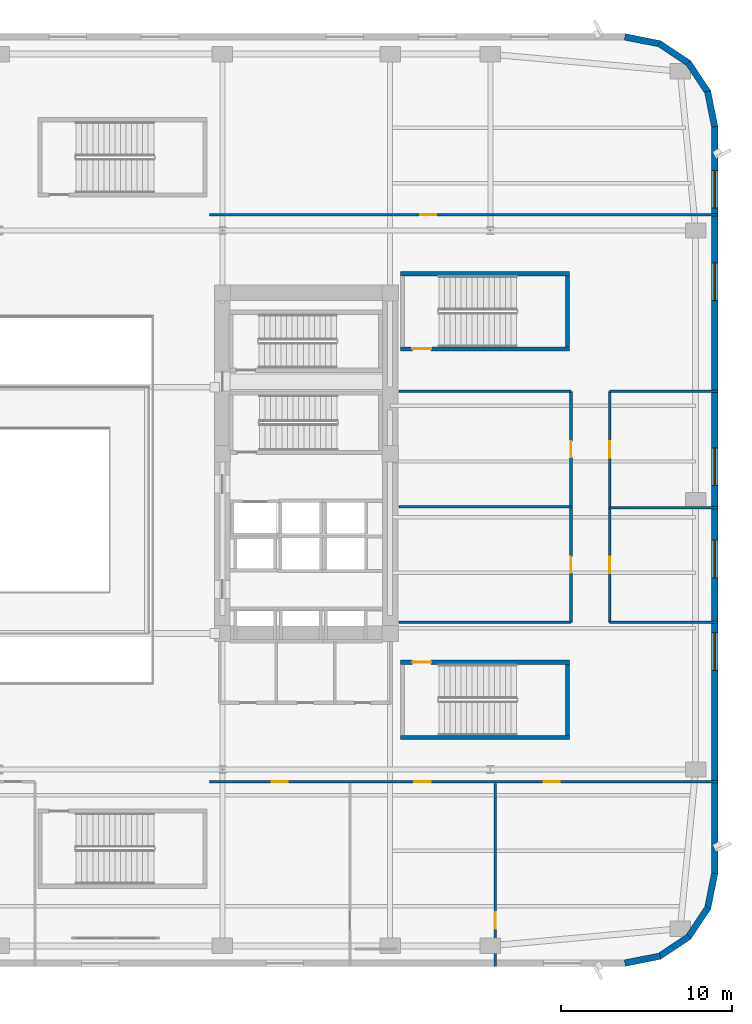
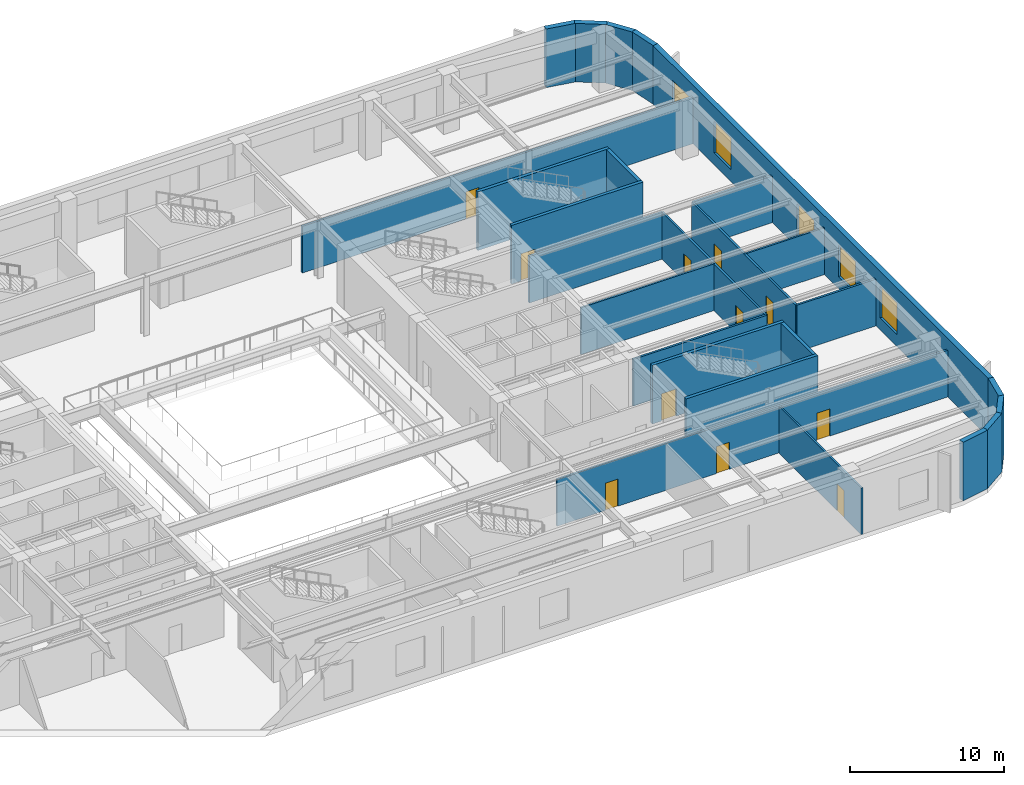
# One storey, part 10 of 22: 26 walls, 11 doors, 5 windows, 16 openings.
"""IFC4 building model written with IfcOpenShell, lengths in metres."""

from ifc_helpers import new_model, si_unit, direction, frame, frame_2d, origin, place, context, subcontext, project, spatial, rectangle, extrude, material, layer, layer_set, type_object, element, fill, save


model = new_model("IFC4")

# Units and contexts
model_context = context("Model", 3, precision=1e-05, world=origin(), true_north=direction((0.0, 1.0)))
body_context = subcontext(model_context, "Body", "Model", "MODEL_VIEW")
ifc_project = project(units=[si_unit("LENGTHUNIT", "METRE"), si_unit("AREAUNIT", "SQUARE_METRE"), si_unit("VOLUMEUNIT", "CUBIC_METRE"), si_unit("PLANEANGLEUNIT", "RADIAN"), si_unit("MASSUNIT", "GRAM", prefix="KILO")], contexts=[model_context])

# Site, building, storey
site_placement = place(None, origin())
site = spatial("IfcSite", under=ifc_project, at=site_placement, CompositionType="ELEMENT")
building_placement = place(site_placement, origin())
building = spatial("IfcBuilding", under=site, at=building_placement, Name="Kolvaren Arena Tower", CompositionType="ELEMENT")
storey_placement = place(building_placement, frame((0.0, 0.0, 13.0)))
storey = spatial("IfcBuildingStorey", under=building, at=storey_placement, Name="L02", CompositionType="ELEMENT", Elevation=13.0)

# Wall, openings, doors
ifc_material_1 = material(Name="Gypsum board acoustic assembly", Category="gypsum")
ifc_layer_1 = layer(ifc_material_1, 0.159912109375)
ifc_layer_set_1 = layer_set([ifc_layer_1], Name="Gypsum board acoustic assembly")
wall_type_1 = type_object("IfcWallType", Name="CORR-160", PredefinedType="PARTITIONING", material=ifc_layer_set_1)
wall_1_placement = place(storey_placement, frame((70.919921875, 20.10009765625, 0.0), z_axis=(0.0, 0.0, 1.0), x_axis=(0.0, 1.0, 0.0)))
wall_1 = element("IfcWall", 1, at=wall_1_placement, inside=storey, type_object=wall_type_1, Name="Interior Partition Wall (L02)", PredefinedType="PARTITIONING", context=body_context, shape_type="SweptSolid", body=[
    extrude(rectangle(XDim=13.5, YDim=0.159912109375, at=frame_2d((6.75, 0.0))), origin(), (0.0, 0.0, 1.0), 3.7099609375),
])
opening_1_placement = place(wall_1_placement, frame((2.89501953125, 0.0, 0.0)))
opening_1 = element("IfcOpeningElement", 2, at=opening_1_placement, cuts=wall_1, Name="Opening D05", PredefinedType="OPENING", context=body_context, shape_type="SweptSolid", body=[
    extrude(rectangle(XDim=0.949951171875, YDim=2.14990234375, at=frame_2d((0.47509765625, 1.074951171875))), frame((0.0, 0.08984375, 0.0), z_axis=(0.0, -1.0, 0.0), x_axis=(1.0, 0.0, 0.0)), (0.0, 0.0, 1.0), 0.179931640625),
])
opening_2_placement = place(wall_1_placement, frame((9.64501953125, 0.0, 0.0)))
opening_2 = element("IfcOpeningElement", 3, at=opening_2_placement, cuts=wall_1, Name="Opening D05", PredefinedType="OPENING", context=body_context, shape_type="SweptSolid", body=[
    extrude(rectangle(XDim=0.949951171875, YDim=2.14990234375, at=frame_2d((0.47509765625, 1.074951171875))), frame((0.0, 0.08984375, 0.0), z_axis=(0.0, -1.0, 0.0), x_axis=(1.0, 0.0, 0.0)), (0.0, 0.0, 1.0), 0.179931640625),
])
ifc_material_2 = material(Name="Solid-core oak acoustic office door", Category="wood")
door_type_1 = type_object("IfcDoorType", Name="DOOR-OF-095", OperationType="NOTDEFINED", PredefinedType="DOOR", material=ifc_material_2)
door_1_placement = place(opening_1_placement, origin())
door_1 = element("IfcDoor", 4, at=door_1_placement, inside=storey, type_object=door_type_1, Name="East Event Merchandise Store Door (L02)", OperationType="SINGLE_SWING_LEFT", OverallHeight=2.14990234375, OverallWidth=0.949951171875, PredefinedType="DOOR", context=body_context, shape_type="SweptSolid", body=[
    extrude(rectangle(XDim=0.949951171875, YDim=2.14990234375, at=frame_2d((0.47509765625, 1.074951171875))), frame((0.0, 0.02490234375, 0.0), z_axis=(0.0, -1.0, 0.0), x_axis=(1.0, 0.0, 0.0)), (0.0, 0.0, 1.0), 0.050048828125),
])
fill(opening_1, door_1)
door_2_placement = place(opening_2_placement, origin())
door_2 = element("IfcDoor", 5, at=door_2_placement, inside=storey, type_object=door_type_1, Name="East Concourse Club Bar Door (L02)", OperationType="SINGLE_SWING_RIGHT", OverallHeight=2.14990234375, OverallWidth=0.949951171875, PredefinedType="DOOR", context=body_context, shape_type="SweptSolid", body=[
    extrude(rectangle(XDim=0.949951171875, YDim=2.14990234375, at=frame_2d((0.47509765625, 1.074951171875))), frame((0.0, 0.02490234375, 0.0), z_axis=(0.0, -1.0, 0.0), x_axis=(1.0, 0.0, 0.0)), (0.0, 0.0, 1.0), 0.050048828125),
])
fill(opening_2, door_2)

wall_2_placement = place(storey_placement, frame((73.179931640625, 20.10009765625, 0.0), z_axis=(0.0, 0.0, 1.0), x_axis=(0.0, 1.0, 0.0)))
wall_2 = element("IfcWall", 6, at=wall_2_placement, inside=storey, type_object=wall_type_1, Name="Interior Partition Wall (L02)", PredefinedType="PARTITIONING", context=body_context, shape_type="SweptSolid", body=[
    extrude(rectangle(XDim=13.5, YDim=0.159912109375, at=frame_2d((6.75, 0.0))), origin(), (0.0, 0.0, 1.0), 3.7099609375),
])
opening_3_placement = place(wall_2_placement, frame((2.8701171875, 0.0, 0.0)))
opening_3 = element("IfcOpeningElement", 7, at=opening_3_placement, cuts=wall_2, Name="Opening D05", PredefinedType="OPENING", context=body_context, shape_type="SweptSolid", body=[
    extrude(rectangle(XDim=0.949951171875, YDim=2.14990234375, at=frame_2d((0.47509765625, 1.074951171875))), frame((0.0, 0.08984375, 0.0), z_axis=(0.0, -1.0, 0.0), x_axis=(1.0, 0.0, 0.0)), (0.0, 0.0, 1.0), 0.179931640625),
])
opening_4_placement = place(wall_2_placement, frame((9.6201171875, 0.0, 0.0)))
opening_4 = element("IfcOpeningElement", 8, at=opening_4_placement, cuts=wall_2, Name="Opening D05", PredefinedType="OPENING", context=body_context, shape_type="SweptSolid", body=[
    extrude(rectangle(XDim=0.949951171875, YDim=2.14990234375, at=frame_2d((0.47509765625, 1.074951171875))), frame((0.0, 0.08984375, 0.0), z_axis=(0.0, -1.0, 0.0), x_axis=(1.0, 0.0, 0.0)), (0.0, 0.0, 1.0), 0.179931640625),
])
door_3_placement = place(opening_3_placement, origin())
door_3 = element("IfcDoor", 9, at=door_3_placement, inside=storey, type_object=door_type_1, Name="Press Conference Room Door (L02)", OperationType="SINGLE_SWING_RIGHT", OverallHeight=2.14990234375, OverallWidth=0.949951171875, PredefinedType="DOOR", context=body_context, shape_type="SweptSolid", body=[
    extrude(rectangle(XDim=0.949951171875, YDim=2.14990234375, at=frame_2d((0.47509765625, 1.074951171875))), frame((0.0, 0.02490234375, 0.0), z_axis=(0.0, -1.0, 0.0), x_axis=(1.0, 0.0, 0.0)), (0.0, 0.0, 1.0), 0.050048828125),
])
fill(opening_3, door_3)
door_4_placement = place(opening_4_placement, origin())
door_4 = element("IfcDoor", 10, at=door_4_placement, inside=storey, type_object=door_type_1, Name="Concession Kitchen Door (L02)", OperationType="SINGLE_SWING_RIGHT", OverallHeight=2.14990234375, OverallWidth=0.949951171875, PredefinedType="DOOR", context=body_context, shape_type="SweptSolid", body=[
    extrude(rectangle(XDim=0.949951171875, YDim=2.14990234375, at=frame_2d((0.47509765625, 1.074951171875))), frame((0.0, 0.02490234375, 0.0), z_axis=(0.0, -1.0, 0.0), x_axis=(1.0, 0.0, 0.0)), (0.0, 0.0, 1.0), 0.050048828125),
])
fill(opening_4, door_4)

# Walls
for number, where, z_axis, x_axis, name in (
    (11, (60.8798828125, 20.10009765625, 0.0), (0.0, 0.0, 1.0), (1.0, 0.0, 0.0), "Interior Partition Wall (L02)"),
    (12, (60.8798828125, 33.60009765625, 0.0), (0.0, 0.0, 1.0), (1.0, 0.0, 0.0), "Interior Partition Wall (L02)"),
):
    element("IfcWall", number, at=place(storey_placement, frame(where, z_axis=z_axis, x_axis=x_axis)), inside=storey, type_object=wall_type_1, Name=name, PredefinedType="PARTITIONING", context=body_context, shape_type="SweptSolid", body=[
        extrude(rectangle(XDim=10.0400390625, YDim=0.159912109375, at=frame_2d((5.02001953125, 0.0))), origin(), (0.0, 0.0, 1.0), 3.7099609375),
    ])
for number, where, z_axis, x_axis, name in (
    (13, (73.179931640625, 20.10009765625, 0.0), (0.0, 0.0, 1.0), (1.0, 0.0, 0.0), "Interior Partition Wall (L02)"),
    (14, (73.179931640625, 33.60009765625, 0.0), (0.0, 0.0, 1.0), (1.0, 0.0, 0.0), "Interior Partition Wall (L02)"),
):
    element("IfcWall", number, at=place(storey_placement, frame(where, z_axis=z_axis, x_axis=x_axis)), inside=storey, type_object=wall_type_1, Name=name, PredefinedType="PARTITIONING", context=body_context, shape_type="SweptSolid", body=[
        extrude(rectangle(XDim=6.320068359375, YDim=0.159912109375, at=frame_2d((3.16015625, 0.0))), origin(), (0.0, 0.0, 1.0), 3.7099609375),
    ])

# Wall, openings, doors
wall_3_placement = place(storey_placement, frame((49.800048828125, 10.780029296875, 0.0), z_axis=(0.0, 0.0, 1.0), x_axis=(1.0, 0.0, 0.0)))
wall_3 = element("IfcWall", 15, at=wall_3_placement, inside=storey, type_object=wall_type_1, Name="Interior Partition Wall (L02)", PredefinedType="PARTITIONING", context=body_context, shape_type="SweptSolid", body=[
    extrude(rectangle(XDim=29.699951171875, YDim=0.159912109375, at=frame_2d((14.85009765625, 0.0))), origin(), (0.0, 0.0, 1.0), 3.7099609375),
])
opening_5_placement = place(wall_3_placement, frame((3.6201171875, 0.0, 0.0)))
opening_5 = element("IfcOpeningElement", 16, at=opening_5_placement, cuts=wall_3, Name="Opening D05", PredefinedType="OPENING", context=body_context, shape_type="SweptSolid", body=[
    extrude(rectangle(XDim=0.949951171875, YDim=2.14990234375, at=frame_2d((0.47509765625, 1.074951171875))), frame((0.0, 0.08984375, 0.0), z_axis=(0.0, -1.0, 0.0), x_axis=(1.0, 0.0, 0.0)), (0.0, 0.0, 1.0), 0.179931640625),
])
opening_6_placement = place(wall_3_placement, frame((11.969970703125, 0.0, 0.0)))
opening_6 = element("IfcOpeningElement", 17, at=opening_6_placement, cuts=wall_3, Name="Opening D05", PredefinedType="OPENING", context=body_context, shape_type="SweptSolid", body=[
    extrude(rectangle(XDim=0.949951171875, YDim=2.14990234375, at=frame_2d((0.47509765625, 1.074951171875))), frame((0.0, 0.08984375, 0.0), z_axis=(0.0, -1.0, 0.0), x_axis=(1.0, 0.0, 0.0)), (0.0, 0.0, 1.0), 0.179931640625),
])
opening_7_placement = place(wall_3_placement, frame((19.52001953125, 0.0, 0.0)))
opening_7 = element("IfcOpeningElement", 18, at=opening_7_placement, cuts=wall_3, Name="Opening D05", PredefinedType="OPENING", context=body_context, shape_type="SweptSolid", body=[
    extrude(rectangle(XDim=0.949951171875, YDim=2.14990234375, at=frame_2d((0.47509765625, 1.074951171875))), frame((0.0, 0.08984375, 0.0), z_axis=(0.0, -1.0, 0.0), x_axis=(1.0, 0.0, 0.0)), (0.0, 0.0, 1.0), 0.179931640625),
])
door_5_placement = place(opening_5_placement, origin())
door_5 = element("IfcDoor", 19, at=door_5_placement, inside=storey, type_object=door_type_1, Name="Beverage Commissary Door (L02)", OperationType="SINGLE_SWING_LEFT", OverallHeight=2.14990234375, OverallWidth=0.949951171875, PredefinedType="DOOR", context=body_context, shape_type="SweptSolid", body=[
    extrude(rectangle(XDim=0.949951171875, YDim=2.14990234375, at=frame_2d((0.47509765625, 1.074951171875))), frame((0.0, 0.02490234375, 0.0), z_axis=(0.0, -1.0, 0.0), x_axis=(1.0, 0.0, 0.0)), (0.0, 0.0, 1.0), 0.050048828125),
])
fill(opening_5, door_5)
door_6_placement = place(opening_6_placement, origin())
door_6 = element("IfcDoor", 20, at=door_6_placement, inside=storey, type_object=door_type_1, Name="Event Ticketing Salon Door (L02)", OperationType="SINGLE_SWING_RIGHT", OverallHeight=2.14990234375, OverallWidth=0.949951171875, PredefinedType="DOOR", context=body_context, shape_type="SweptSolid", body=[
    extrude(rectangle(XDim=0.949951171875, YDim=2.14990234375, at=frame_2d((0.47509765625, 1.074951171875))), frame((0.0, 0.02490234375, 0.0), z_axis=(0.0, -1.0, 0.0), x_axis=(1.0, 0.0, 0.0)), (0.0, 0.0, 1.0), 0.050048828125),
])
fill(opening_6, door_6)
door_7_placement = place(opening_7_placement, origin())
door_7 = element("IfcDoor", 21, at=door_7_placement, inside=storey, type_object=door_type_1, Name="Executive Office Door (L02)", OperationType="SINGLE_SWING_LEFT", OverallHeight=2.14990234375, OverallWidth=0.949951171875, PredefinedType="DOOR", context=body_context, shape_type="SweptSolid", body=[
    extrude(rectangle(XDim=0.949951171875, YDim=2.14990234375, at=frame_2d((0.47509765625, 1.074951171875))), frame((0.0, 0.02490234375, 0.0), z_axis=(0.0, -1.0, 0.0), x_axis=(1.0, 0.0, 0.0)), (0.0, 0.0, 1.0), 0.050048828125),
])
fill(opening_7, door_7)

# Wall, opening, door
wall_4_placement = place(storey_placement, frame((49.800048828125, 43.919921875, 0.0), z_axis=(0.0, 0.0, 1.0), x_axis=(1.0, 0.0, 0.0)))
wall_4 = element("IfcWall", 22, at=wall_4_placement, inside=storey, type_object=wall_type_1, Name="Interior Partition Wall (L02)", PredefinedType="PARTITIONING", context=body_context, shape_type="SweptSolid", body=[
    extrude(rectangle(XDim=29.699951171875, YDim=0.159912109375, at=frame_2d((14.85009765625, 0.0))), origin(), (0.0, 0.0, 1.0), 3.7099609375),
])
opening_8_placement = place(wall_4_placement, frame((12.300048828125, 0.0, 0.0)))
opening_8 = element("IfcOpeningElement", 23, at=opening_8_placement, cuts=wall_4, Name="Opening D05", PredefinedType="OPENING", context=body_context, shape_type="SweptSolid", body=[
    extrude(rectangle(XDim=0.949951171875, YDim=2.14990234375, at=frame_2d((0.47509765625, 1.074951171875))), frame((0.0, 0.08984375, 0.0), z_axis=(0.0, -1.0, 0.0), x_axis=(1.0, 0.0, 0.0)), (0.0, 0.0, 1.0), 0.179931640625),
])
door_8_placement = place(opening_8_placement, origin())
door_8 = element("IfcDoor", 24, at=door_8_placement, inside=storey, type_object=door_type_1, Name="Media Hospitality Room Door (L02)", OperationType="SINGLE_SWING_LEFT", OverallHeight=2.14990234375, OverallWidth=0.949951171875, PredefinedType="DOOR", context=body_context, shape_type="SweptSolid", body=[
    extrude(rectangle(XDim=0.949951171875, YDim=2.14990234375, at=frame_2d((0.47509765625, 1.074951171875))), frame((0.0, 0.02490234375, 0.0), z_axis=(0.0, -1.0, 0.0), x_axis=(1.0, 0.0, 0.0)), (0.0, 0.0, 1.0), 0.050048828125),
])
fill(opening_8, door_8)

# Walls
ifc_material_3 = material(Name="Precast concrete C50/60", Category="concrete")
ifc_layer_2 = layer(ifc_material_3, 0.3798828125)
ifc_layer_set_2 = layer_set([ifc_layer_2], Name="Precast concrete C50/60")
wall_type_2 = type_object("IfcWallType", Name="EXT-ARENA", PredefinedType="SOLIDWALL", material=ifc_layer_set_2)
for number, where, z_axis, x_axis, name in (
    (25, (76.12939453125, 0.597412109375, 0.0), (0.0, 0.0, 1.0), (-0.9807762837, -0.195135546048, 0.0), "Exterior Precast Masonry-Frame Wall (L02)"),
    (26, (77.812744140625, 1.739501953125, 0.0), (0.0, 0.0, 1.0), (-0.831515102434, -0.555502146192, 0.0), "Exterior Precast Masonry-Frame Wall (L02)"),
    (27, (78.930908203125, 3.439208984375, 0.0), (0.0, 0.0, 1.0), (-0.555502146192, -0.831515102434, 0.0), "Exterior Precast Masonry-Frame Wall (L02)"),
    (28, (79.313720703125, 5.43701171875, 0.0), (0.0, 0.0, 1.0), (-0.195135546048, -0.9807762837, 0.0), "Exterior Precast Masonry-Frame Wall (L02)"),
):
    element("IfcWall", number, at=place(storey_placement, frame(where, z_axis=z_axis, x_axis=x_axis)), inside=storey, type_object=wall_type_2, Name=name, PredefinedType="SOLIDWALL", context=body_context, shape_type="SweptSolid", body=[
        extrude(rectangle(XDim=2.10693359375, YDim=0.3798828125, at=frame_2d((1.053466796875, 0.0))), origin(), (0.0, 0.0, 1.0), 4.64990234375),
    ])

# Wall, openings, windows
wall_5_placement = place(storey_placement, frame((79.31005859375, 49.10009765625, 0.0), z_axis=(0.0, 0.0, 1.0), x_axis=(0.0, -1.0, 0.0)))
wall_5 = element("IfcWall", 29, at=wall_5_placement, inside=storey, type_object=wall_type_2, Name="Exterior Precast Masonry-Frame Wall (L02)", PredefinedType="SOLIDWALL", context=body_context, shape_type="SweptSolid", body=[
    extrude(rectangle(XDim=43.7001953125, YDim=0.3798828125, at=frame_2d((21.85009765625, 0.0))), origin(), (0.0, 0.0, 1.0), 4.64990234375),
])
opening_9_placement = place(wall_5_placement, frame((2.60009765625, 0.0, 0.949951171875)))
opening_9 = element("IfcOpeningElement", 30, at=opening_9_placement, cuts=wall_5, Name="Opening W07", PredefinedType="OPENING", context=body_context, shape_type="SweptSolid", body=[
    extrude(rectangle(XDim=2.199951171875, YDim=2.5, at=frame_2d((1.10009765625, 1.25))), frame((0.0, 0.199951171875, 0.0), z_axis=(0.0, -1.0, 0.0), x_axis=(1.0, 0.0, 0.0)), (0.0, 0.0, 1.0), 0.39990234375),
])
opening_10_placement = place(wall_5_placement, frame((8.0, 0.0, 0.949951171875)))
opening_10 = element("IfcOpeningElement", 31, at=opening_10_placement, cuts=wall_5, Name="Opening W07", PredefinedType="OPENING", context=body_context, shape_type="SweptSolid", body=[
    extrude(rectangle(XDim=2.199951171875, YDim=2.5, at=frame_2d((1.10009765625, 1.25))), frame((0.0, 0.199951171875, 0.0), z_axis=(0.0, -1.0, 0.0), x_axis=(1.0, 0.0, 0.0)), (0.0, 0.0, 1.0), 0.39990234375),
])
opening_11_placement = place(wall_5_placement, frame((18.800048828125, 0.0, 0.949951171875)))
opening_11 = element("IfcOpeningElement", 32, at=opening_11_placement, cuts=wall_5, Name="Opening W07", PredefinedType="OPENING", context=body_context, shape_type="SweptSolid", body=[
    extrude(rectangle(XDim=2.199951171875, YDim=2.5, at=frame_2d((1.10009765625, 1.25))), frame((0.0, 0.199951171875, 0.0), z_axis=(0.0, -1.0, 0.0), x_axis=(1.0, 0.0, 0.0)), (0.0, 0.0, 1.0), 0.39990234375),
])
opening_12_placement = place(wall_5_placement, frame((24.199951171875, 0.0, 0.949951171875)))
opening_12 = element("IfcOpeningElement", 33, at=opening_12_placement, cuts=wall_5, Name="Opening W07", PredefinedType="OPENING", context=body_context, shape_type="SweptSolid", body=[
    extrude(rectangle(XDim=2.199951171875, YDim=2.5, at=frame_2d((1.10009765625, 1.25))), frame((0.0, 0.199951171875, 0.0), z_axis=(0.0, -1.0, 0.0), x_axis=(1.0, 0.0, 0.0)), (0.0, 0.0, 1.0), 0.39990234375),
])
opening_13_placement = place(wall_5_placement, frame((29.60009765625, 0.0, 0.949951171875)))
opening_13 = element("IfcOpeningElement", 34, at=opening_13_placement, cuts=wall_5, Name="Opening W07", PredefinedType="OPENING", context=body_context, shape_type="SweptSolid", body=[
    extrude(rectangle(XDim=2.199951171875, YDim=2.5, at=frame_2d((1.10009765625, 1.25))), frame((0.0, 0.199951171875, 0.0), z_axis=(0.0, -1.0, 0.0), x_axis=(1.0, 0.0, 0.0)), (0.0, 0.0, 1.0), 0.39990234375),
])
ifc_material_4 = material(Name="Triple-glazed arena concourse window", Category="glass")
window_type = type_object("IfcWindowType", Name="WIN-POD-A", PartitioningType="DOUBLE_PANEL_VERTICAL", PredefinedType="WINDOW", material=ifc_material_4)
window_1_placement = place(opening_9_placement, origin())
window_1 = element("IfcWindow", 35, at=window_1_placement, inside=storey, type_object=window_type, Name="Punched Precast-Pier Window (L02)", OverallHeight=2.5, OverallWidth=2.199951171875, PartitioningType="DOUBLE_PANEL_VERTICAL", PredefinedType="WINDOW", context=body_context, shape_type="SweptSolid", body=[
    extrude(rectangle(XDim=2.199951171875, YDim=2.5, at=frame_2d((1.10009765625, 1.25))), frame((0.0, 0.030029296875, 0.0), z_axis=(0.0, -1.0, 0.0), x_axis=(1.0, 0.0, 0.0)), (0.0, 0.0, 1.0), 0.06005859375),
])
fill(opening_9, window_1)
window_2_placement = place(opening_10_placement, origin())
window_2 = element("IfcWindow", 36, at=window_2_placement, inside=storey, type_object=window_type, Name="Punched Precast-Pier Window (L02)", OverallHeight=2.5, OverallWidth=2.199951171875, PartitioningType="DOUBLE_PANEL_VERTICAL", PredefinedType="WINDOW", context=body_context, shape_type="SweptSolid", body=[
    extrude(rectangle(XDim=2.199951171875, YDim=2.5, at=frame_2d((1.10009765625, 1.25))), frame((0.0, 0.030029296875, 0.0), z_axis=(0.0, -1.0, 0.0), x_axis=(1.0, 0.0, 0.0)), (0.0, 0.0, 1.0), 0.06005859375),
])
fill(opening_10, window_2)
window_3_placement = place(opening_11_placement, origin())
window_3 = element("IfcWindow", 37, at=window_3_placement, inside=storey, type_object=window_type, Name="Punched Precast-Pier Window (L02)", OverallHeight=2.5, OverallWidth=2.199951171875, PartitioningType="DOUBLE_PANEL_VERTICAL", PredefinedType="WINDOW", context=body_context, shape_type="SweptSolid", body=[
    extrude(rectangle(XDim=2.199951171875, YDim=2.5, at=frame_2d((1.10009765625, 1.25))), frame((0.0, 0.030029296875, 0.0), z_axis=(0.0, -1.0, 0.0), x_axis=(1.0, 0.0, 0.0)), (0.0, 0.0, 1.0), 0.06005859375),
])
fill(opening_11, window_3)
window_4_placement = place(opening_12_placement, origin())
window_4 = element("IfcWindow", 38, at=window_4_placement, inside=storey, type_object=window_type, Name="Punched Precast-Pier Window (L02)", OverallHeight=2.5, OverallWidth=2.199951171875, PartitioningType="DOUBLE_PANEL_VERTICAL", PredefinedType="WINDOW", context=body_context, shape_type="SweptSolid", body=[
    extrude(rectangle(XDim=2.199951171875, YDim=2.5, at=frame_2d((1.10009765625, 1.25))), frame((0.0, 0.030029296875, 0.0), z_axis=(0.0, -1.0, 0.0), x_axis=(1.0, 0.0, 0.0)), (0.0, 0.0, 1.0), 0.06005859375),
])
fill(opening_12, window_4)
window_5_placement = place(opening_13_placement, origin())
window_5 = element("IfcWindow", 39, at=window_5_placement, inside=storey, type_object=window_type, Name="Punched Precast-Pier Window (L02)", OverallHeight=2.5, OverallWidth=2.199951171875, PartitioningType="DOUBLE_PANEL_VERTICAL", PredefinedType="WINDOW", context=body_context, shape_type="SweptSolid", body=[
    extrude(rectangle(XDim=2.199951171875, YDim=2.5, at=frame_2d((1.10009765625, 1.25))), frame((0.0, 0.030029296875, 0.0), z_axis=(0.0, -1.0, 0.0), x_axis=(1.0, 0.0, 0.0)), (0.0, 0.0, 1.0), 0.06005859375),
])
fill(opening_13, window_5)

# Walls
for number, where, z_axis, x_axis, name in (
    (40, (78.902587890625, 51.12939453125, 0.0), (0.0, 0.0, 1.0), (0.195135546048, -0.9807762837, 0.0), "Exterior Precast Masonry-Frame Wall (L02)"),
    (41, (77.760498046875, 52.812744140625, 0.0), (0.0, 0.0, 1.0), (0.555502146192, -0.831515102434, 0.0), "Exterior Precast Masonry-Frame Wall (L02)"),
    (42, (76.060791015625, 53.930908203125, 0.0), (0.0, 0.0, 1.0), (0.831515102434, -0.555502146192, 0.0), "Exterior Precast Masonry-Frame Wall (L02)"),
    (43, (74.06298828125, 54.313720703125, 0.0), (0.0, 0.0, 1.0), (0.9807762837, -0.195135546048, 0.0), "Exterior Precast Masonry-Frame Wall (L02)"),
):
    element("IfcWall", number, at=place(storey_placement, frame(where, z_axis=z_axis, x_axis=x_axis)), inside=storey, type_object=wall_type_2, Name=name, PredefinedType="SOLIDWALL", context=body_context, shape_type="SweptSolid", body=[
        extrude(rectangle(XDim=2.10693359375, YDim=0.3798828125, at=frame_2d((1.053466796875, 0.0))), origin(), (0.0, 0.0, 1.0), 4.64990234375),
    ])
ifc_material_5 = material(Name="Gypsum board partition assembly", Category="gypsum")
ifc_layer_3 = layer(ifc_material_5, 0.135009765625)
ifc_layer_set_3 = layer_set([ifc_layer_3], Name="Gypsum board partition assembly")
wall_type_3 = type_object("IfcWallType", Name="PART-135", PredefinedType="PARTITIONING", material=ifc_layer_set_3)
wall_6_placement = place(storey_placement, frame((73.179931640625, 26.800048828125, 0.0), z_axis=(0.0, 0.0, 1.0), x_axis=(1.0, 0.0, 0.0)))
element("IfcWall", 44, at=wall_6_placement, inside=storey, type_object=wall_type_3, Name="Interior Partition Wall (L02)", PredefinedType="PARTITIONING", context=body_context, shape_type="SweptSolid", body=[
    extrude(rectangle(XDim=6.320068359375, YDim=0.135009765625, at=frame_2d((3.16015625, 0.0))), origin(), (0.0, 0.0, 1.0), 3.7099609375),
])
wall_7_placement = place(storey_placement, frame((60.8798828125, 26.85009765625, 0.0), z_axis=(0.0, 0.0, 1.0), x_axis=(1.0, 0.0, 0.0)))
element("IfcWall", 45, at=wall_7_placement, inside=storey, type_object=wall_type_3, Name="Interior Partition Wall (L02)", PredefinedType="PARTITIONING", context=body_context, shape_type="SweptSolid", body=[
    extrude(rectangle(XDim=10.0400390625, YDim=0.135009765625, at=frame_2d((5.02001953125, 0.0))), origin(), (0.0, 0.0, 1.0), 3.7099609375),
])

# Wall, opening, door
wall_8_placement = place(storey_placement, frame((66.5, 0.0, 0.0), z_axis=(0.0, 0.0, 1.0), x_axis=(0.0, 1.0, 0.0)))
wall_8 = element("IfcWall", 46, at=wall_8_placement, inside=storey, type_object=wall_type_3, Name="Interior Partition Wall (L02)", PredefinedType="PARTITIONING", context=body_context, shape_type="SweptSolid", body=[
    extrude(rectangle(XDim=10.68994140625, YDim=0.135009765625, at=frame_2d((5.344970703125, 0.0))), origin(), (0.0, 0.0, 1.0), 3.7099609375),
])
opening_14_placement = place(wall_8_placement, frame((2.199951171875, 0.0, 0.0)))
opening_14 = element("IfcOpeningElement", 47, at=opening_14_placement, cuts=wall_8, Name="Opening D05", PredefinedType="OPENING", context=body_context, shape_type="SweptSolid", body=[
    extrude(rectangle(XDim=0.949951171875, YDim=2.14990234375, at=frame_2d((0.47509765625, 1.074951171875))), frame((0.0, 0.077392578125, 0.0), z_axis=(0.0, -1.0, 0.0), x_axis=(1.0, 0.0, 0.0)), (0.0, 0.0, 1.0), 0.155029296875),
])
door_9_placement = place(opening_14_placement, origin())
door_9 = element("IfcDoor", 48, at=door_9_placement, inside=storey, type_object=door_type_1, Name="Event Ticketing Salon Connecting Door (L02)", OperationType="SINGLE_SWING_LEFT", OverallHeight=2.14990234375, OverallWidth=0.949951171875, PredefinedType="DOOR", context=body_context, shape_type="SweptSolid", body=[
    extrude(rectangle(XDim=0.949951171875, YDim=2.14990234375, at=frame_2d((0.47509765625, 1.074951171875))), frame((0.0, 0.02490234375, 0.0), z_axis=(0.0, -1.0, 0.0), x_axis=(1.0, 0.0, 0.0)), (0.0, 0.0, 1.0), 0.050048828125),
])
fill(opening_14, door_9)

ifc_material_6 = material(Name="Concrete 45 MPa", Category="concrete")
ifc_layer_4 = layer(ifc_material_6, 0.25)
ifc_layer_set_4 = layer_set([ifc_layer_4], Name="Concrete 45 MPa")
wall_type_4 = type_object("IfcWallType", Name="SHAFT-250", PredefinedType="SOLIDWALL", material=ifc_layer_set_4)
wall_9_placement = place(storey_placement, frame((60.9599609375, 17.77001953125, 0.0), z_axis=(0.0, 0.0, 1.0), x_axis=(1.0, 0.0, 0.0)))
wall_9 = element("IfcWall", 49, at=wall_9_placement, inside=storey, type_object=wall_type_4, Name="Stair ST-A4 Rated Enclosure Wall (L02)", PredefinedType="SOLIDWALL", context=body_context, shape_type="SweptSolid", body=[
    extrude(rectangle(XDim=9.880126953125, YDim=0.239990234375, at=frame_2d((4.93994140625, 0.0))), origin(), (0.0, 0.0, 1.0), 4.64990234375),
])
opening_15_placement = place(wall_9_placement, frame((0.68994140625, 0.0, 0.0)))
opening_15 = element("IfcOpeningElement", 50, at=opening_15_placement, cuts=wall_9, Name="Opening D03", PredefinedType="OPENING", context=body_context, shape_type="SweptSolid", body=[
    extrude(rectangle(XDim=1.10009765625, YDim=2.14990234375, at=frame_2d((0.550048828125, 1.074951171875))), frame((0.0, 0.1298828125, 0.0), z_axis=(0.0, -1.0, 0.0), x_axis=(1.0, 0.0, 0.0)), (0.0, 0.0, 1.0), 0.260009765625),
])
ifc_material_7 = material(Name="Fire-rated steel exit stair door", Category="steel")
door_type_2 = type_object("IfcDoorType", Name="DOOR-ST-110", OperationType="NOTDEFINED", PredefinedType="DOOR", material=ifc_material_7)
door_10_placement = place(opening_15_placement, origin())
door_10 = element("IfcDoor", 51, at=door_10_placement, inside=storey, type_object=door_type_2, Name="Exit Stair ST-A4 Fire Door (L02)", OperationType="SINGLE_SWING_LEFT", OverallHeight=2.14990234375, OverallWidth=1.10009765625, PredefinedType="DOOR", context=body_context, shape_type="SweptSolid", body=[
    extrude(rectangle(XDim=1.10009765625, YDim=2.14990234375, at=frame_2d((0.550048828125, 1.074951171875))), frame((0.0, 0.02490234375, 0.0), z_axis=(0.0, -1.0, 0.0), x_axis=(1.0, 0.0, 0.0)), (0.0, 0.0, 1.0), 0.050048828125),
])
fill(opening_15, door_10)

# Walls
wall_10_placement = place(storey_placement, frame((60.9599609375, 13.3798828125, 0.0), z_axis=(0.0, 0.0, 1.0), x_axis=(1.0, 0.0, 0.0)))
element("IfcWall", 52, at=wall_10_placement, inside=storey, type_object=wall_type_4, Name="Stair ST-A4 Rear Shaft Wall (L02)", PredefinedType="SOLIDWALL", context=body_context, shape_type="SweptSolid", body=[
    extrude(rectangle(XDim=9.880126953125, YDim=0.239990234375, at=frame_2d((4.93994140625, 0.0))), origin(), (0.0, 0.0, 1.0), 4.64990234375),
])
wall_11_placement = place(storey_placement, frame((70.719970703125, 13.5, 0.0), z_axis=(0.0, 0.0, 1.0), x_axis=(0.0, 1.0, 0.0)))
element("IfcWall", 53, at=wall_11_placement, inside=storey, type_object=wall_type_4, Name="Stair ST-A4 East Shaft Wall (L02)", PredefinedType="SOLIDWALL", context=body_context, shape_type="SweptSolid", body=[
    extrude(rectangle(XDim=4.14990234375, YDim=0.239990234375, at=frame_2d((2.074951171875, 0.0))), origin(), (0.0, 0.0, 1.0), 4.64990234375),
])

# Wall, opening, door
wall_12_placement = place(storey_placement, frame((70.840087890625, 36.080078125, 0.0), z_axis=(0.0, 0.0, 1.0), x_axis=(-1.0, 0.0, 0.0)))
wall_12 = element("IfcWall", 54, at=wall_12_placement, inside=storey, type_object=wall_type_4, Name="Stair ST-A8 Rated Enclosure Wall (L02)", PredefinedType="SOLIDWALL", context=body_context, shape_type="SweptSolid", body=[
    extrude(rectangle(XDim=9.880126953125, YDim=0.239990234375, at=frame_2d((4.93994140625, 0.0))), origin(), (0.0, 0.0, 1.0), 4.64990234375),
])
opening_16_placement = place(wall_12_placement, frame((8.090087890625, 0.0, 0.0)))
opening_16 = element("IfcOpeningElement", 55, at=opening_16_placement, cuts=wall_12, Name="Opening D03", PredefinedType="OPENING", context=body_context, shape_type="SweptSolid", body=[
    extrude(rectangle(XDim=1.10009765625, YDim=2.14990234375, at=frame_2d((0.550048828125, 1.074951171875))), frame((0.0, 0.1298828125, 0.0), z_axis=(0.0, -1.0, 0.0), x_axis=(1.0, 0.0, 0.0)), (0.0, 0.0, 1.0), 0.260009765625),
])
door_11_placement = place(opening_16_placement, origin())
door_11 = element("IfcDoor", 56, at=door_11_placement, inside=storey, type_object=door_type_2, Name="Exit Stair ST-A8 Fire Door (L02)", OperationType="SINGLE_SWING_LEFT", OverallHeight=2.14990234375, OverallWidth=1.10009765625, PredefinedType="DOOR", context=body_context, shape_type="SweptSolid", body=[
    extrude(rectangle(XDim=1.10009765625, YDim=2.14990234375, at=frame_2d((0.550048828125, 1.074951171875))), frame((0.0, 0.02490234375, 0.0), z_axis=(0.0, -1.0, 0.0), x_axis=(1.0, 0.0, 0.0)), (0.0, 0.0, 1.0), 0.050048828125),
])
fill(opening_16, door_11)

# Walls
wall_13_placement = place(storey_placement, frame((60.9599609375, 40.469970703125, 0.0), z_axis=(0.0, 0.0, 1.0), x_axis=(1.0, 0.0, 0.0)))
element("IfcWall", 57, at=wall_13_placement, inside=storey, type_object=wall_type_4, Name="Stair ST-A8 Rear Shaft Wall (L02)", PredefinedType="SOLIDWALL", context=body_context, shape_type="SweptSolid", body=[
    extrude(rectangle(XDim=9.880126953125, YDim=0.239990234375, at=frame_2d((4.93994140625, 0.0))), origin(), (0.0, 0.0, 1.0), 4.64990234375),
])
wall_14_placement = place(storey_placement, frame((70.719970703125, 36.199951171875, 0.0), z_axis=(0.0, 0.0, 1.0), x_axis=(0.0, 1.0, 0.0)))
element("IfcWall", 58, at=wall_14_placement, inside=storey, type_object=wall_type_4, Name="Stair ST-A8 East Shaft Wall (L02)", PredefinedType="SOLIDWALL", context=body_context, shape_type="SweptSolid", body=[
    extrude(rectangle(XDim=4.150146484375, YDim=0.239990234375, at=frame_2d((2.0751953125, 0.0))), origin(), (0.0, 0.0, 1.0), 4.64990234375),
])

save(model, "model.ifc")
